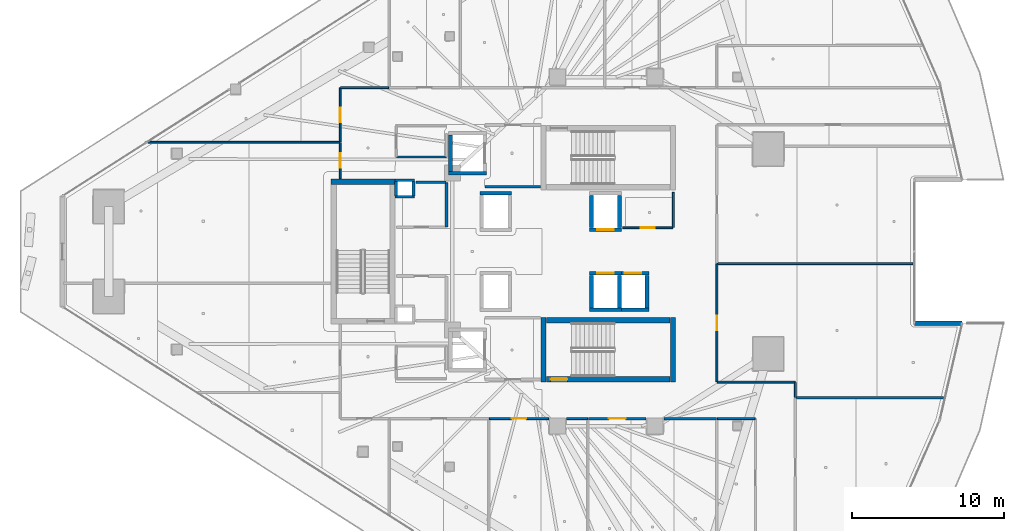
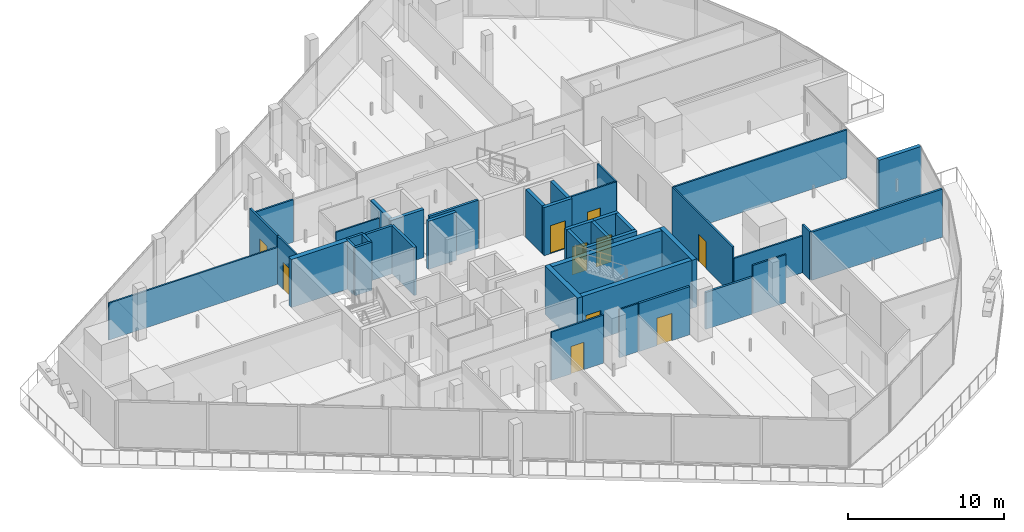
# One storey, part 24 of 35: 43 walls, 10 doors, 10 openings.
"""IFC4 building model written with IfcOpenShell, lengths in metres."""

from ifc_helpers import new_model, si_unit, direction, frame, frame_2d, origin, place, context, subcontext, project, spatial, rectangle, extrude, material, layer, layer_set, type_object, element, fill, save


model = new_model("IFC4")

# Units and contexts
model_context = context("Model", 3, precision=1e-05, world=origin(), true_north=direction((0.0, 1.0)))
body_context = subcontext(model_context, "Body", "Model", "MODEL_VIEW")
ifc_project = project(units=[si_unit("LENGTHUNIT", "METRE"), si_unit("AREAUNIT", "SQUARE_METRE"), si_unit("VOLUMEUNIT", "CUBIC_METRE"), si_unit("PLANEANGLEUNIT", "RADIAN"), si_unit("MASSUNIT", "GRAM", prefix="KILO")], contexts=[model_context])

# Site, building, storey
site_placement = place(None, origin())
site = spatial("IfcSite", under=ifc_project, at=site_placement, CompositionType="ELEMENT")
building_placement = place(site_placement, origin())
building = spatial("IfcBuilding", under=site, at=building_placement, Name="Qorvath Tower", CompositionType="ELEMENT")
storey_placement = place(building_placement, frame((0.0, 0.0, 166.5)))
storey = spatial("IfcBuildingStorey", under=building, at=storey_placement, Name="L38", CompositionType="ELEMENT", Elevation=166.5)

# Walls
ifc_material_1 = material(Name="Gypsum shaftliner on steel studs", Category="steel")
ifc_layer_1 = layer(ifc_material_1, 0.179931640625)
ifc_layer_set_1 = layer_set([ifc_layer_1], Name="FW-LOBBY")
wall_type_1 = type_object("IfcWallType", Name="FW-LOBBY", PredefinedType="PARTITIONING", material=ifc_layer_set_1)
for number, where, z_axis, x_axis, name in (
    (1, (-32.989990234375, 3.594970703125, 0.0), (0.0, 0.0, 1.0), (-1.0, 0.0, 0.0), "MEP Riser Shaft Enclosure Wall N-L38-S"),
    (2, (-34.260009765625, 4.675048828125, 0.0), (0.0, 0.0, 1.0), (1.0, 0.0, 0.0), "MEP Riser Shaft Enclosure Wall N-L38-N"),
):
    element("IfcWall", number, at=place(storey_placement, frame(where, z_axis=z_axis, x_axis=x_axis)), inside=storey, type_object=wall_type_1, Name=name, PredefinedType="PARTITIONING", context=body_context, shape_type="SweptSolid", body=[
        extrude(rectangle(XDim=1.27001953125, YDim=0.179931640625, at=frame_2d((0.635009765625, 0.0))), origin(), (0.0, 0.0, 1.0), 3.780029296875),
    ])
for number, where, z_axis, x_axis, name in (
    (3, (-34.205078125, 3.659912109375, 0.0), (0.0, 0.0, 1.0), (0.0, 1.0, 0.0), "MEP Riser Shaft Enclosure Wall N-L38-W"),
    (4, (-33.044921875, 4.610107421875, 0.0), (0.0, 0.0, 1.0), (0.0, -1.0, 0.0), "MEP Riser Shaft Enclosure Wall N-L38-E"),
):
    element("IfcWall", number, at=place(storey_placement, frame(where, z_axis=z_axis, x_axis=x_axis)), inside=storey, type_object=wall_type_1, Name=name, PredefinedType="PARTITIONING", context=body_context, shape_type="SweptSolid", body=[
        extrude(rectangle(XDim=0.9501953125, YDim=0.179931640625, at=frame_2d((0.47509765625, 0.0))), origin(), (0.0, 0.0, 1.0), 3.780029296875),
    ])
wall_1_placement = place(storey_placement, frame((-28.35498046875, 4.25, 0.0), z_axis=(0.0, 0.0, 1.0), x_axis=(1.0, 0.0, 0.0)))
element("IfcWall", 5, at=wall_1_placement, inside=storey, type_object=wall_type_1, Name="Interior Partition IW-T1-L38-001", PredefinedType="PARTITIONING", context=body_context, shape_type="SweptSolid", body=[
    extrude(rectangle(XDim=3.6220703125, YDim=0.179931640625, at=frame_2d((1.81103515625, 0.0))), origin(), (0.0, 0.0, 1.0), 3.780029296875),
])
wall_2_placement = place(storey_placement, frame((-30.8798828125, 1.625, 0.0), z_axis=(0.0, 0.0, 1.0), x_axis=(0.0, 1.0, 0.0)))
element("IfcWall", 6, at=wall_2_placement, inside=storey, type_object=wall_type_1, Name="Interior Partition IW-T1-L38-016", PredefinedType="PARTITIONING", context=body_context, shape_type="SweptSolid", body=[
    extrude(rectangle(XDim=2.889892578125, YDim=0.179931640625, at=frame_2d((1.44482421875, 0.0))), origin(), (0.0, 0.0, 1.0), 3.780029296875),
])
wall_3_placement = place(storey_placement, frame((-30.90478515625, 4.5400390625, 0.0), z_axis=(0.0, 0.0, 1.0), x_axis=(-1.0, 0.0, 0.0)))
element("IfcWall", 7, at=wall_3_placement, inside=storey, type_object=wall_type_1, Name="Interior Partition IW-T1-L38-017", PredefinedType="PARTITIONING", context=body_context, shape_type="SweptSolid", body=[
    extrude(rectangle(XDim=1.97509765625, YDim=0.179931640625, at=frame_2d((0.987548828125, 0.0))), origin(), (0.0, 0.0, 1.0), 3.780029296875),
])

# Wall, opening, door
ifc_material_2 = material(Name="Double acoustic gypsum board on steel studs", Category="steel")
ifc_layer_2 = layer(ifc_material_2, 0.159912109375)
ifc_layer_set_2 = layer_set([ifc_layer_2], Name="IW-ACOUSTIC-160")
wall_type_2 = type_object("IfcWallType", Name="IW-ACOUSTIC-160", PredefinedType="PARTITIONING", material=ifc_layer_set_2)
wall_4_placement = place(storey_placement, frame((-17.7900390625, -10.9580078125, 0.0), z_axis=(0.0, 0.0, 1.0), x_axis=(-1.0, 0.0, 0.0)))
wall_4 = element("IfcWall", 8, at=wall_4_placement, inside=storey, type_object=wall_type_2, Name="Interior Partition IW-T1-L38-039", PredefinedType="PARTITIONING", context=body_context, shape_type="SweptSolid", body=[
    extrude(rectangle(XDim=3.783447265625, YDim=0.159912109375, at=frame_2d((1.8916015625, 0.0))), origin(), (0.0, 0.0, 1.0), 3.780029296875),
])
opening_1_placement = place(wall_4_placement, frame((1.341796875, 0.0, 0.0)))
opening_1 = element("IfcOpeningElement", 9, at=opening_1_placement, cuts=wall_4, Name="Opening D-T1-L38-12", PredefinedType="OPENING", context=body_context, shape_type="SweptSolid", body=[
    extrude(rectangle(XDim=1.10009765625, YDim=2.14990234375, at=frame_2d((0.550048828125, 1.074951171875))), frame((0.0, 0.08984375, 0.0), z_axis=(0.0, -1.0, 0.0), x_axis=(1.0, 0.0, 0.0)), (0.0, 0.0, 1.0), 0.179931640625),
])
ifc_material_3 = material(Name="Anodised aluminium acoustic framed glass", Category="aluminium")
door_type_1 = type_object("IfcDoorType", Name="D-03", OperationType="NOTDEFINED", PredefinedType="DOOR", material=ifc_material_3)
door_1_placement = place(opening_1_placement, origin())
door_1 = element("IfcDoor", 10, at=door_1_placement, inside=storey, type_object=door_type_1, Name="L38-07 Digital Visualization Suite Door D-T1-L38-12", OperationType="SINGLE_SWING_LEFT", OverallHeight=2.14990234375, OverallWidth=1.10009765625, PredefinedType="DOOR", context=body_context, shape_type="SweptSolid", body=[
    extrude(rectangle(XDim=1.10009765625, YDim=2.14990234375, at=frame_2d((0.550048828125, 1.074951171875))), frame((0.0, 0.02490234375, 0.0), z_axis=(0.0, -1.0, 0.0), x_axis=(1.0, 0.0, 0.0)), (0.0, 0.0, 1.0), 0.050048828125),
])
fill(opening_1, door_1)

# Walls
wall_5_placement = place(storey_placement, frame((-13.1748046875, -10.9580078125, 0.0), z_axis=(0.0, 0.0, 1.0), x_axis=(-1.0, 0.0, 0.0)))
element("IfcWall", 11, at=wall_5_placement, inside=storey, type_object=wall_type_2, Name="Interior Partition IW-T1-L38-041", PredefinedType="PARTITIONING", context=body_context, shape_type="SweptSolid", body=[
    extrude(rectangle(XDim=3.435302734375, YDim=0.159912109375, at=frame_2d((1.7177734375, 0.0))), origin(), (0.0, 0.0, 1.0), 2.89501953125),
])
wall_6_placement = place(storey_placement, frame((1.7412109375, -9.6015625, 0.0), z_axis=(0.0, 0.0, 1.0), x_axis=(-1.0, 0.0, 0.0)))
element("IfcWall", 12, at=wall_6_placement, inside=storey, type_object=wall_type_2, Name="Interior Partition IW-T1-L38-047", PredefinedType="PARTITIONING", context=body_context, shape_type="SweptSolid", body=[
    extrude(rectangle(XDim=9.7080078125, YDim=0.159912109375, at=frame_2d((4.85400390625, 0.0))), origin(), (0.0, 0.0, 1.0), 3.780029296875),
])

# Wall, opening, door
ifc_material_4 = material(Name="Gypsum board on metal studs with mineral wool", Category="gypsum")
ifc_layer_3 = layer(ifc_material_4, 0.125)
ifc_layer_set_3 = layer_set([ifc_layer_3], Name="IW-PART-125")
wall_type_3 = type_object("IfcWallType", Name="IW-PART-125", PredefinedType="PARTITIONING", material=ifc_layer_set_3)
wall_7_placement = place(storey_placement, frame((-19.333740234375, 1.56005859375, 0.0), z_axis=(0.0, 0.0, 1.0), x_axis=(1.0, 0.0, 0.0)))
wall_7 = element("IfcWall", 13, at=wall_7_placement, inside=storey, type_object=wall_type_3, Name="Interior Partition IW-T1-L38-013", PredefinedType="PARTITIONING", context=body_context, shape_type="SweptSolid", body=[
    extrude(rectangle(XDim=3.308837890625, YDim=0.125, at=frame_2d((1.654296875, 0.0))), origin(), (0.0, 0.0, 1.0), 3.780029296875),
])
opening_2_placement = place(wall_7_placement, frame((1.179443359375, 0.0, 0.0)))
opening_2 = element("IfcOpeningElement", 14, at=opening_2_placement, cuts=wall_7, Name="Opening D-T1-L38-03", PredefinedType="OPENING", context=body_context, shape_type="SweptSolid", body=[
    extrude(rectangle(XDim=0.949951171875, YDim=2.14990234375, at=frame_2d((0.47509765625, 1.074951171875))), frame((0.0, 0.072509765625, 0.0), z_axis=(0.0, -1.0, 0.0), x_axis=(1.0, 0.0, 0.0)), (0.0, 0.0, 1.0), 0.14501953125),
])
ifc_material_5 = material(Name="Solid-core American white oak veneer", Category="wood")
door_type_2 = type_object("IfcDoorType", Name="D-01", OperationType="NOTDEFINED", PredefinedType="DOOR", material=ifc_material_5)
door_2_placement = place(opening_2_placement, origin())
door_2 = element("IfcDoor", 15, at=door_2_placement, inside=storey, type_object=door_type_2, Name="L38-RCN North Staff Refreshment Pantry Door D-T1-L38-03", OperationType="SINGLE_SWING_RIGHT", OverallHeight=2.14990234375, OverallWidth=0.949951171875, PredefinedType="DOOR", context=body_context, shape_type="SweptSolid", body=[
    extrude(rectangle(XDim=0.949951171875, YDim=2.14990234375, at=frame_2d((0.47509765625, 1.074951171875))), frame((0.0, 0.02490234375, 0.0), z_axis=(0.0, -1.0, 0.0), x_axis=(1.0, 0.0, 0.0)), (0.0, 0.0, 1.0), 0.050048828125),
])
fill(opening_2, door_2)

# Wall
wall_8_placement = place(storey_placement, frame((-16.0, 1.585205078125, 0.0), z_axis=(0.0, 0.0, 1.0), x_axis=(0.0, 1.0, 0.0)))
element("IfcWall", 16, at=wall_8_placement, inside=storey, type_object=wall_type_3, Name="Interior Partition IW-T1-L38-014", PredefinedType="PARTITIONING", context=body_context, shape_type="SweptSolid", body=[
    extrude(rectangle(XDim=2.30224609375, YDim=0.125, at=frame_2d((1.151123046875, 0.0))), origin(), (0.0, 0.0, 1.0), 3.780029296875),
])

# Wall, opening, door
wall_9_placement = place(storey_placement, frame((-24.18994140625, -10.9580078125, 0.0), z_axis=(0.0, 0.0, 1.0), x_axis=(-1.0, 0.0, 0.0)))
wall_9 = element("IfcWall", 17, at=wall_9_placement, inside=storey, type_object=wall_type_3, Name="Interior Partition IW-T1-L38-036", PredefinedType="PARTITIONING", context=body_context, shape_type="SweptSolid", body=[
    extrude(rectangle(XDim=3.87890625, YDim=0.125, at=frame_2d((1.939453125, 0.0))), origin(), (0.0, 0.0, 1.0), 3.780029296875),
])
opening_3_placement = place(wall_9_placement, frame((1.46435546875, 0.0, 0.0)))
opening_3 = element("IfcOpeningElement", 18, at=opening_3_placement, cuts=wall_9, Name="Opening D-T1-L38-11", PredefinedType="OPENING", context=body_context, shape_type="SweptSolid", body=[
    extrude(rectangle(XDim=0.949951171875, YDim=2.14990234375, at=frame_2d((0.47509765625, 1.074951171875))), frame((0.0, 0.072509765625, 0.0), z_axis=(0.0, -1.0, 0.0), x_axis=(1.0, 0.0, 0.0)), (0.0, 0.0, 1.0), 0.14501953125),
])
door_3_placement = place(opening_3_placement, origin())
door_3 = element("IfcDoor", 19, at=door_3_placement, inside=storey, type_object=door_type_2, Name="L38-06 Breakout Reading Alcove Door D-T1-L38-11", OperationType="SINGLE_SWING_RIGHT", OverallHeight=2.14990234375, OverallWidth=0.949951171875, PredefinedType="DOOR", context=body_context, shape_type="SweptSolid", body=[
    extrude(rectangle(XDim=0.949951171875, YDim=2.14990234375, at=frame_2d((0.47509765625, 1.074951171875))), frame((0.0, 0.02490234375, 0.0), z_axis=(0.0, -1.0, 0.0), x_axis=(1.0, 0.0, 0.0)), (0.0, 0.0, 1.0), 0.050048828125),
])
fill(opening_3, door_3)

# Walls
wall_10_placement = place(storey_placement, frame((-21.631103515625, -10.9580078125, 0.0), z_axis=(0.0, 0.0, 1.0), x_axis=(-1.0, 0.0, 0.0)))
element("IfcWall", 20, at=wall_10_placement, inside=storey, type_object=wall_type_3, Name="Interior Partition IW-T1-L38-038", PredefinedType="PARTITIONING", context=body_context, shape_type="SweptSolid", body=[
    extrude(rectangle(XDim=1.37890625, YDim=0.125, at=frame_2d((0.689453125, 0.0))), origin(), (0.0, 0.0, 1.0), 3.780029296875),
])
wall_11_placement = place(storey_placement, frame((-10.6328125, -10.9580078125, 0.0), z_axis=(0.0, 0.0, 1.0), x_axis=(-1.0, 0.0, 0.0)))
element("IfcWall", 21, at=wall_11_placement, inside=storey, type_object=wall_type_3, Name="Interior Partition IW-T1-L38-050", PredefinedType="PARTITIONING", context=body_context, shape_type="SweptSolid", body=[
    extrude(rectangle(XDim=2.484375, YDim=0.125, at=frame_2d((1.2421875, 0.0))), origin(), (0.0, 0.0, 1.0), 3.780029296875),
])
wall_12_placement = place(storey_placement, frame((-0.263916015625, -0.7890625, 0.0), z_axis=(0.0, 0.0, 1.0), x_axis=(-1.0, 0.0, 0.0)))
element("IfcWall", 22, at=wall_12_placement, inside=storey, type_object=wall_type_3, Name="Interior Partition IW-T1-L38-051", PredefinedType="PARTITIONING", context=body_context, shape_type="SweptSolid", body=[
    extrude(rectangle(XDim=12.853271484375, YDim=0.125, at=frame_2d((6.4267578125, 0.0))), origin(), (0.0, 0.0, 1.0), 3.780029296875),
])

# Wall, opening, door
wall_13_placement = place(storey_placement, frame((-13.14208984375, -0.814208984375, 0.0), z_axis=(0.0, 0.0, 1.0), x_axis=(0.0, -1.0, 0.0)))
wall_13 = element("IfcWall", 23, at=wall_13_placement, inside=storey, type_object=wall_type_3, Name="Interior Partition IW-T1-L38-052", PredefinedType="PARTITIONING", context=body_context, shape_type="SweptSolid", body=[
    extrude(rectangle(XDim=7.73291015625, YDim=0.125, at=frame_2d((3.866455078125, 0.0))), origin(), (0.0, 0.0, 1.0), 3.780029296875),
])
opening_4_placement = place(wall_13_placement, frame((3.391357421875, 0.0, 0.0)))
opening_4 = element("IfcOpeningElement", 24, at=opening_4_placement, cuts=wall_13, Name="Opening D-T1-L38-16", PredefinedType="OPENING", context=body_context, shape_type="SweptSolid", body=[
    extrude(rectangle(XDim=0.949951171875, YDim=2.14990234375, at=frame_2d((0.47509765625, 1.074951171875))), frame((0.0, 0.072509765625, 0.0), z_axis=(0.0, -1.0, 0.0), x_axis=(1.0, 0.0, 0.0)), (0.0, 0.0, 1.0), 0.14501953125),
])
door_4_placement = place(opening_4_placement, origin())
door_4 = element("IfcDoor", 25, at=door_4_placement, inside=storey, type_object=door_type_2, Name="L38-11 Open Workplace Studio Door D-T1-L38-16", OperationType="SINGLE_SWING_LEFT", OverallHeight=2.14990234375, OverallWidth=0.949951171875, PredefinedType="DOOR", context=body_context, shape_type="SweptSolid", body=[
    extrude(rectangle(XDim=0.949951171875, YDim=2.14990234375, at=frame_2d((0.47509765625, 1.074951171875))), frame((0.0, 0.02490234375, 0.0), z_axis=(0.0, -1.0, 0.0), x_axis=(1.0, 0.0, 0.0)), (0.0, 0.0, 1.0), 0.050048828125),
])
fill(opening_4, door_4)

# Walls
wall_14_placement = place(storey_placement, frame((-13.1171875, -8.572021484375, 0.0), z_axis=(0.0, 0.0, 1.0), x_axis=(1.0, 0.0, 0.0)))
element("IfcWall", 26, at=wall_14_placement, inside=storey, type_object=wall_type_3, Name="Interior Partition IW-T1-L38-053", PredefinedType="PARTITIONING", context=body_context, shape_type="SweptSolid", body=[
    extrude(rectangle(XDim=5.100341796875, YDim=0.125, at=frame_2d((2.55029296875, 0.0))), origin(), (0.0, 0.0, 1.0), 2.89501953125),
])
wall_15_placement = place(storey_placement, frame((-7.991943359375, -8.596923828125, 0.0), z_axis=(0.0, 0.0, 1.0), x_axis=(0.0, -1.0, 0.0)))
element("IfcWall", 27, at=wall_15_placement, inside=storey, type_object=wall_type_3, Name="Interior Partition IW-T1-L38-054", PredefinedType="PARTITIONING", context=body_context, shape_type="SweptSolid", body=[
    extrude(rectangle(XDim=0.9716796875, YDim=0.125, at=frame_2d((0.48583984375, 0.0))), origin(), (0.0, 0.0, 1.0), 3.780029296875),
])

# Wall, opening, door
wall_16_placement = place(storey_placement, frame((-37.85791015625, 4.783203125, 0.0), z_axis=(0.0, 0.0, 1.0), x_axis=(0.0, 1.0, 0.0)))
wall_16 = element("IfcWall", 28, at=wall_16_placement, inside=storey, type_object=wall_type_3, Name="Interior Partition IW-T1-L38-067", PredefinedType="PARTITIONING", context=body_context, shape_type="SweptSolid", body=[
    extrude(rectangle(XDim=2.3623046875, YDim=0.125, at=frame_2d((1.18115234375, 0.0))), origin(), (0.0, 0.0, 1.0), 3.780029296875),
])
opening_5_placement = place(wall_16_placement, frame((0.7060546875, 0.0, 0.0)))
opening_5 = element("IfcOpeningElement", 29, at=opening_5_placement, cuts=wall_16, Name="Opening D-T1-L38-21", PredefinedType="OPENING", context=body_context, shape_type="SweptSolid", body=[
    extrude(rectangle(XDim=0.949951171875, YDim=2.14990234375, at=frame_2d((0.47509765625, 1.074951171875))), frame((0.0, 0.072509765625, 0.0), z_axis=(0.0, -1.0, 0.0), x_axis=(1.0, 0.0, 0.0)), (0.0, 0.0, 1.0), 0.14501953125),
])
door_5_placement = place(opening_5_placement, origin())
door_5 = element("IfcDoor", 30, at=door_5_placement, inside=storey, type_object=door_type_2, Name="L38-16 Design Pin-Up Atelier Door D-T1-L38-21", OperationType="SINGLE_SWING_RIGHT", OverallHeight=2.14990234375, OverallWidth=0.949951171875, PredefinedType="DOOR", context=body_context, shape_type="SweptSolid", body=[
    extrude(rectangle(XDim=0.949951171875, YDim=2.14990234375, at=frame_2d((0.47509765625, 1.074951171875))), frame((0.0, 0.02490234375, 0.0), z_axis=(0.0, -1.0, 0.0), x_axis=(1.0, 0.0, 0.0)), (0.0, 0.0, 1.0), 0.050048828125),
])
fill(opening_5, door_5)

# Wall
wall_17_placement = place(storey_placement, frame((-37.8828125, 7.17041015625, 0.0), z_axis=(0.0, 0.0, 1.0), x_axis=(-1.0, 0.0, 0.0)))
element("IfcWall", 31, at=wall_17_placement, inside=storey, type_object=wall_type_3, Name="Interior Partition IW-T1-L38-068", PredefinedType="PARTITIONING", context=body_context, shape_type="SweptSolid", body=[
    extrude(rectangle(XDim=12.57958984375, YDim=0.125, at=frame_2d((6.289794921875, 0.0))), origin(), (0.0, 0.0, 1.0), 2.89990234375),
])

# Wall, opening, door
wall_18_placement = place(storey_placement, frame((-37.85791015625, 7.20361328125, 0.0), z_axis=(0.0, 0.0, 1.0), x_axis=(0.0, 1.0, 0.0)))
wall_18 = element("IfcWall", 32, at=wall_18_placement, inside=storey, type_object=wall_type_3, Name="Interior Partition IW-T1-L38-069", PredefinedType="PARTITIONING", context=body_context, shape_type="SweptSolid", body=[
    extrude(rectangle(XDim=3.529541015625, YDim=0.125, at=frame_2d((1.7646484375, 0.0))), origin(), (0.0, 0.0, 1.0), 3.780029296875),
])
opening_6_placement = place(wall_18_placement, frame((1.289794921875, 0.0, 0.0)))
opening_6 = element("IfcOpeningElement", 33, at=opening_6_placement, cuts=wall_18, Name="Opening D-T1-L38-22", PredefinedType="OPENING", context=body_context, shape_type="SweptSolid", body=[
    extrude(rectangle(XDim=0.949951171875, YDim=2.14990234375, at=frame_2d((0.47509765625, 1.074951171875))), frame((0.0, 0.072509765625, 0.0), z_axis=(0.0, -1.0, 0.0), x_axis=(1.0, 0.0, 0.0)), (0.0, 0.0, 1.0), 0.14501953125),
])
door_6_placement = place(opening_6_placement, origin())
door_6 = element("IfcDoor", 34, at=door_6_placement, inside=storey, type_object=door_type_2, Name="L38-17 Executive Partner Office Door D-T1-L38-22", OperationType="SINGLE_SWING_LEFT", OverallHeight=2.14990234375, OverallWidth=0.949951171875, PredefinedType="DOOR", context=body_context, shape_type="SweptSolid", body=[
    extrude(rectangle(XDim=0.949951171875, YDim=2.14990234375, at=frame_2d((0.47509765625, 1.074951171875))), frame((0.0, 0.02490234375, 0.0), z_axis=(0.0, -1.0, 0.0), x_axis=(1.0, 0.0, 0.0)), (0.0, 0.0, 1.0), 0.050048828125),
])
fill(opening_6, door_6)

# Walls
wall_19_placement = place(storey_placement, frame((-34.68310546875, 10.758056640625, 0.0), z_axis=(0.0, 0.0, 1.0), x_axis=(-1.0, 0.0, 0.0)))
element("IfcWall", 35, at=wall_19_placement, inside=storey, type_object=wall_type_3, Name="Interior Partition IW-T1-L38-070", PredefinedType="PARTITIONING", context=body_context, shape_type="SweptSolid", body=[
    extrude(rectangle(XDim=3.14990234375, YDim=0.125, at=frame_2d((1.574951171875, 0.0))), origin(), (0.0, 0.0, 1.0), 3.34375),
])
ifc_material_6 = material(Name="Moisture-resistant cement board on metal studs", Category="gypsum")
ifc_layer_4 = layer(ifc_material_6, 0.110107421875)
ifc_layer_set_4 = layer_set([ifc_layer_4], Name="IW-WC-110")
wall_type_4 = type_object("IfcWallType", Name="IW-WC-110", PredefinedType="PARTITIONING", material=ifc_layer_set_4)
wall_20_placement = place(storey_placement, frame((-34.15478515625, 6.199951171875, 0.0), z_axis=(0.0, 0.0, 1.0), x_axis=(1.0, 0.0, 0.0)))
element("IfcWall", 36, at=wall_20_placement, inside=storey, type_object=wall_type_4, Name="Interior Partition IW-T1-L38-006", PredefinedType="PARTITIONING", context=body_context, shape_type="SweptSolid", body=[
    extrude(rectangle(XDim=3.25, YDim=0.110107421875, at=frame_2d((1.625, 0.0))), origin(), (0.0, 0.0, 1.0), 3.34375),
])
ifc_material_7 = material(Name="Concrete C60/75", Category="concrete")
ifc_layer_5 = layer(ifc_material_7, 0.260009765625)
ifc_layer_set_5 = layer_set([ifc_layer_5], Name="SW-SHAFT")
wall_type_5 = type_object("IfcWallType", Name="SW-SHAFT", PredefinedType="SHEAR", material=ifc_layer_set_5)
wall_21_placement = place(storey_placement, frame((-28.260009765625, 5.1298828125, 0.0), z_axis=(0.0, 0.0, 1.0), x_axis=(-1.0, 0.0, 0.0)))
element("IfcWall", 37, at=wall_21_placement, inside=storey, type_object=wall_type_5, Name="Hoistway Wall FSAE-1 L38 S", PredefinedType="SHEAR", context=body_context, shape_type="SweptSolid", body=[
    extrude(rectangle(XDim=2.47998046875, YDim=0.239990234375, at=frame_2d((1.239990234375, 0.0))), origin(), (0.0, 0.0, 1.0), 3.780029296875),
])
wall_22_placement = place(storey_placement, frame((-30.6201171875, 5.261962890625, 0.0), z_axis=(0.0, 0.0, 1.0), x_axis=(0.0, 1.0, 0.0)))
element("IfcWall", 38, at=wall_22_placement, inside=storey, type_object=wall_type_5, Name="Hoistway Wall FSAE-1 L38 W", PredefinedType="SHEAR", context=body_context, shape_type="SweptSolid", body=[
    extrude(rectangle(XDim=2.3759765625, YDim=0.239990234375, at=frame_2d((1.18798828125, 0.0))), origin(), (0.0, 0.0, 1.0), 3.780029296875),
])
wall_23_placement = place(storey_placement, frame((-28.68994140625, 3.820068359375, 0.0), z_axis=(0.0, 0.0, 1.0), x_axis=(1.0, 0.0, 0.0)))
element("IfcWall", 39, at=wall_23_placement, inside=storey, type_object=wall_type_5, Name="Hoistway Wall PS-1 L38 N", PredefinedType="SHEAR", context=body_context, shape_type="SweptSolid", body=[
    extrude(rectangle(XDim=2.079833984375, YDim=0.239990234375, at=frame_2d((1.0400390625, 0.0))), origin(), (0.0, 0.0, 1.0), 3.780029296875),
])

# Wall, opening, door
wall_24_placement = place(storey_placement, frame((-19.409912109375, 1.429931640625, 0.0), z_axis=(0.0, 0.0, 1.0), x_axis=(-1.0, 0.0, 0.0)))
wall_24 = element("IfcWall", 40, at=wall_24_placement, inside=storey, type_object=wall_type_5, Name="Hoistway Wall PM-1 L38 S", PredefinedType="SHEAR", context=body_context, shape_type="SweptSolid", body=[
    extrude(rectangle(XDim=2.080078125, YDim=0.239990234375, at=frame_2d((1.0400390625, 0.0))), origin(), (0.0, 0.0, 1.0), 3.780029296875),
])
opening_7_placement = place(wall_24_placement, frame((0.489990234375, 0.0, 0.0)))
opening_7 = element("IfcOpeningElement", 41, at=opening_7_placement, cuts=wall_24, Name="Opening LD-PM-1-L38", PredefinedType="OPENING", context=body_context, shape_type="SweptSolid", body=[
    extrude(rectangle(XDim=1.10009765625, YDim=2.199951171875, at=frame_2d((0.550048828125, 1.10009765625))), frame((0.0, 0.1298828125, 0.0), z_axis=(0.0, -1.0, 0.0), x_axis=(1.0, 0.0, 0.0)), (0.0, 0.0, 1.0), 0.260009765625),
])
ifc_material_8 = material(Name="Brushed stainless steel AISI 316", Category="steel")
door_type_3 = type_object("IfcDoorType", Name="LD-01", OperationType="NOTDEFINED", PredefinedType="DOOR", material=ifc_material_8)
door_7_placement = place(opening_7_placement, origin())
door_7 = element("IfcDoor", 42, at=door_7_placement, inside=storey, type_object=door_type_3, Name="Elevator Landing Sliding Door LD-PM-1-L38", OperationType="DOUBLE_DOOR_SLIDING", OverallHeight=2.199951171875, OverallWidth=1.10009765625, PredefinedType="DOOR", context=body_context, shape_type="SweptSolid", body=[
    extrude(rectangle(XDim=1.10009765625, YDim=2.199951171875, at=frame_2d((0.550048828125, 1.10009765625))), frame((0.0, 0.02490234375, 0.0), z_axis=(0.0, -1.0, 0.0), x_axis=(1.0, 0.0, 0.0)), (0.0, 0.0, 1.0), 0.050048828125),
])
fill(opening_7, door_7)

# Walls
for number, where, z_axis, x_axis, name in (
    (43, (-21.3701171875, 1.56201171875, 0.0), (0.0, 0.0, 1.0), (0.0, 1.0, 0.0), "Hoistway Wall PM-1 L38 W"),
    (44, (-19.530029296875, 3.68798828125, 0.0), (0.0, 0.0, 1.0), (0.0, -1.0, 0.0), "Hoistway Wall PM-1 L38 E"),
):
    element("IfcWall", number, at=place(storey_placement, frame(where, z_axis=z_axis, x_axis=x_axis)), inside=storey, type_object=wall_type_5, Name=name, PredefinedType="SHEAR", context=body_context, shape_type="SweptSolid", body=[
        extrude(rectangle(XDim=2.1259765625, YDim=0.239990234375, at=frame_2d((1.06298828125, 0.0))), origin(), (0.0, 0.0, 1.0), 3.780029296875),
    ])
wall_25_placement = place(storey_placement, frame((-19.409912109375, -3.820068359375, 0.0), z_axis=(0.0, 0.0, 1.0), x_axis=(-1.0, 0.0, 0.0)))
element("IfcWall", 45, at=wall_25_placement, inside=storey, type_object=wall_type_5, Name="Hoistway Wall PM-2 L38 S", PredefinedType="SHEAR", context=body_context, shape_type="SweptSolid", body=[
    extrude(rectangle(XDim=2.080078125, YDim=0.239990234375, at=frame_2d((1.0400390625, 0.0))), origin(), (0.0, 0.0, 1.0), 3.780029296875),
])

# Wall, opening, door
wall_26_placement = place(storey_placement, frame((-21.489990234375, -1.429931640625, 0.0), z_axis=(0.0, 0.0, 1.0), x_axis=(1.0, 0.0, 0.0)))
wall_26 = element("IfcWall", 46, at=wall_26_placement, inside=storey, type_object=wall_type_5, Name="Hoistway Wall PM-2 L38 N", PredefinedType="SHEAR", context=body_context, shape_type="SweptSolid", body=[
    extrude(rectangle(XDim=2.080078125, YDim=0.239990234375, at=frame_2d((1.0400390625, 0.0))), origin(), (0.0, 0.0, 1.0), 3.780029296875),
])
opening_8_placement = place(wall_26_placement, frame((0.489990234375, 0.0, 0.0)))
opening_8 = element("IfcOpeningElement", 47, at=opening_8_placement, cuts=wall_26, Name="Opening LD-PM-2-L38", PredefinedType="OPENING", context=body_context, shape_type="SweptSolid", body=[
    extrude(rectangle(XDim=1.10009765625, YDim=2.199951171875, at=frame_2d((0.550048828125, 1.10009765625))), frame((0.0, 0.1298828125, 0.0), z_axis=(0.0, -1.0, 0.0), x_axis=(1.0, 0.0, 0.0)), (0.0, 0.0, 1.0), 0.260009765625),
])
door_8_placement = place(opening_8_placement, origin())
door_8 = element("IfcDoor", 48, at=door_8_placement, inside=storey, type_object=door_type_3, Name="Elevator Landing Sliding Door LD-PM-2-L38", OperationType="DOUBLE_DOOR_SLIDING", OverallHeight=2.199951171875, OverallWidth=1.10009765625, PredefinedType="DOOR", context=body_context, shape_type="SweptSolid", body=[
    extrude(rectangle(XDim=1.10009765625, YDim=2.199951171875, at=frame_2d((0.550048828125, 1.10009765625))), frame((0.0, 0.02490234375, 0.0), z_axis=(0.0, -1.0, 0.0), x_axis=(1.0, 0.0, 0.0)), (0.0, 0.0, 1.0), 0.050048828125),
])
fill(opening_8, door_8)

# Walls
for number, where, z_axis, x_axis, name in (
    (49, (-21.3701171875, -3.68798828125, 0.0), (0.0, 0.0, 1.0), (0.0, 1.0, 0.0), "Hoistway Wall PM-2 L38 W"),
    (50, (-19.530029296875, -1.56201171875, 0.0), (0.0, 0.0, 1.0), (0.0, -1.0, 0.0), "Hoistway Wall PM-2 L38 E"),
):
    element("IfcWall", number, at=place(storey_placement, frame(where, z_axis=z_axis, x_axis=x_axis)), inside=storey, type_object=wall_type_5, Name=name, PredefinedType="SHEAR", context=body_context, shape_type="SweptSolid", body=[
        extrude(rectangle(XDim=2.1259765625, YDim=0.239990234375, at=frame_2d((1.06298828125, 0.0))), origin(), (0.0, 0.0, 1.0), 3.780029296875),
    ])
wall_27_placement = place(storey_placement, frame((-17.610107421875, -3.820068359375, 0.0), z_axis=(0.0, 0.0, 1.0), x_axis=(-1.0, 0.0, 0.0)))
element("IfcWall", 51, at=wall_27_placement, inside=storey, type_object=wall_type_5, Name="Hoistway Wall PM-3 L38 S", PredefinedType="SHEAR", context=body_context, shape_type="SweptSolid", body=[
    extrude(rectangle(XDim=1.7998046875, YDim=0.239990234375, at=frame_2d((0.89990234375, 0.0))), origin(), (0.0, 0.0, 1.0), 3.780029296875),
])

# Wall, opening, door
wall_28_placement = place(storey_placement, frame((-19.409912109375, -1.429931640625, 0.0), z_axis=(0.0, 0.0, 1.0), x_axis=(1.0, 0.0, 0.0)))
wall_28 = element("IfcWall", 52, at=wall_28_placement, inside=storey, type_object=wall_type_5, Name="Hoistway Wall PM-3 L38 N", PredefinedType="SHEAR", context=body_context, shape_type="SweptSolid", body=[
    extrude(rectangle(XDim=1.7998046875, YDim=0.239990234375, at=frame_2d((0.89990234375, 0.0))), origin(), (0.0, 0.0, 1.0), 3.780029296875),
])
opening_9_placement = place(wall_28_placement, frame((0.2099609375, 0.0, 0.0)))
opening_9 = element("IfcOpeningElement", 53, at=opening_9_placement, cuts=wall_28, Name="Opening LD-PM-3-L38", PredefinedType="OPENING", context=body_context, shape_type="SweptSolid", body=[
    extrude(rectangle(XDim=1.10009765625, YDim=2.199951171875, at=frame_2d((0.550048828125, 1.10009765625))), frame((0.0, 0.1298828125, 0.0), z_axis=(0.0, -1.0, 0.0), x_axis=(1.0, 0.0, 0.0)), (0.0, 0.0, 1.0), 0.260009765625),
])
door_9_placement = place(opening_9_placement, origin())
door_9 = element("IfcDoor", 54, at=door_9_placement, inside=storey, type_object=door_type_3, Name="Elevator Landing Sliding Door LD-PM-3-L38", OperationType="DOUBLE_DOOR_SLIDING", OverallHeight=2.199951171875, OverallWidth=1.10009765625, PredefinedType="DOOR", context=body_context, shape_type="SweptSolid", body=[
    extrude(rectangle(XDim=1.10009765625, YDim=2.199951171875, at=frame_2d((0.550048828125, 1.10009765625))), frame((0.0, 0.02490234375, 0.0), z_axis=(0.0, -1.0, 0.0), x_axis=(1.0, 0.0, 0.0)), (0.0, 0.0, 1.0), 0.050048828125),
])
fill(opening_9, door_9)

# Walls
wall_29_placement = place(storey_placement, frame((-17.72998046875, -1.56201171875, 0.0), z_axis=(0.0, 0.0, 1.0), x_axis=(0.0, -1.0, 0.0)))
element("IfcWall", 55, at=wall_29_placement, inside=storey, type_object=wall_type_5, Name="Hoistway Wall PM-3 L38 E", PredefinedType="SHEAR", context=body_context, shape_type="SweptSolid", body=[
    extrude(rectangle(XDim=2.1259765625, YDim=0.239990234375, at=frame_2d((1.06298828125, 0.0))), origin(), (0.0, 0.0, 1.0), 3.780029296875),
])
ifc_material_9 = material(Name="Concrete C60/75", Category="concrete")
ifc_layer_6 = layer(ifc_material_9, 0.35009765625)
ifc_layer_set_6 = layer_set([ifc_layer_6], Name="SW-STAIR")
wall_type_6 = type_object("IfcWallType", Name="SW-STAIR", PredefinedType="SHEAR", material=ifc_layer_set_6)
for number, where, z_axis, x_axis, name in (
    (56, (-24.52490234375, -4.340087890625, 0.0), (0.0, 0.0, 1.0), (0.0, -1.0, 0.0), "Stair TS2 Shear Wall L38 NEAR"),
    (57, (-16.02490234375, -8.550048828125, 0.0), (0.0, 0.0, 1.0), (0.0, 1.0, 0.0), "Stair TS2 Shear Wall L38 FAR"),
):
    element("IfcWall", number, at=place(storey_placement, frame(where, z_axis=z_axis, x_axis=x_axis)), inside=storey, type_object=wall_type_6, Name=name, PredefinedType="SHEAR", context=body_context, shape_type="SweptSolid", body=[
        extrude(rectangle(XDim=4.2099609375, YDim=0.35009765625, at=frame_2d((2.10498046875, 0.0))), origin(), (0.0, 0.0, 1.0), 3.780029296875),
    ])

# Wall, opening, door
wall_30_placement = place(storey_placement, frame((-24.3349609375, -8.375, 0.0), z_axis=(0.0, 0.0, 1.0), x_axis=(1.0, 0.0, 0.0)))
wall_30 = element("IfcWall", 58, at=wall_30_placement, inside=storey, type_object=wall_type_6, Name="Stair TS2 Shear Wall L38 LEFT", PredefinedType="SHEAR", context=body_context, shape_type="SweptSolid", body=[
    extrude(rectangle(XDim=8.119873046875, YDim=0.35009765625, at=frame_2d((4.06005859375, 0.0))), origin(), (0.0, 0.0, 1.0), 3.780029296875),
])
opening_10_placement = place(wall_30_placement, frame((0.280029296875, 0.0, 0.0)))
opening_10 = element("IfcOpeningElement", 59, at=opening_10_placement, cuts=wall_30, Name="Opening D-TS2-L38", PredefinedType="OPENING", context=body_context, shape_type="SweptSolid", body=[
    extrude(rectangle(XDim=1.10009765625, YDim=2.199951171875, at=frame_2d((0.550048828125, 1.10009765625))), frame((0.0, 0.18505859375, 0.0), z_axis=(0.0, -1.0, 0.0), x_axis=(1.0, 0.0, 0.0)), (0.0, 0.0, 1.0), 0.3701171875),
])
ifc_material_10 = material(Name="Painted galvanised hollow metal", Category="steel")
door_type_4 = type_object("IfcDoorType", Name="FD-90", OperationType="NOTDEFINED", PredefinedType="DOOR", material=ifc_material_10)
door_10_placement = place(opening_10_placement, origin())
door_10 = element("IfcDoor", 60, at=door_10_placement, inside=storey, type_object=door_type_4, Name="Stair TS2 Fire Door L38", OperationType="SINGLE_SWING_LEFT", OverallHeight=2.199951171875, OverallWidth=1.10009765625, PredefinedType="DOOR", context=body_context, shape_type="SweptSolid", body=[
    extrude(rectangle(XDim=1.10009765625, YDim=2.199951171875, at=frame_2d((0.550048828125, 1.10009765625))), frame((0.0, 0.02490234375, 0.0), z_axis=(0.0, -1.0, 0.0), x_axis=(1.0, 0.0, 0.0)), (0.0, 0.0, 1.0), 0.050048828125),
])
fill(opening_10, door_10)

# Walls
wall_31_placement = place(storey_placement, frame((-16.215087890625, -4.514892578125, 0.0), z_axis=(0.0, 0.0, 1.0), x_axis=(-1.0, 0.0, 0.0)))
element("IfcWall", 61, at=wall_31_placement, inside=storey, type_object=wall_type_6, Name="Stair TS2 Shear Wall L38 RIGHT", PredefinedType="SHEAR", context=body_context, shape_type="SweptSolid", body=[
    extrude(rectangle(XDim=8.119873046875, YDim=0.35009765625, at=frame_2d((4.06005859375, 0.0))), origin(), (0.0, 0.0, 1.0), 3.780029296875),
])
wall_32_placement = place(storey_placement, frame((-34.25, 4.574951171875, 0.0), z_axis=(0.0, 0.0, 1.0), x_axis=(-1.0, 0.0, 0.0)))
element("IfcWall", 62, at=wall_32_placement, inside=storey, type_object=wall_type_6, Name="Stair TS3 Shear Wall L38 FAR", PredefinedType="SHEAR", context=body_context, shape_type="SweptSolid", body=[
    extrude(rectangle(XDim=4.2099609375, YDim=0.35009765625, at=frame_2d((2.10498046875, 0.0))), origin(), (0.0, 0.0, 1.0), 3.780029296875),
])
ifc_material_11 = material(Name="Precast concrete C45/55", Category="concrete")
ifc_layer_7 = layer(ifc_material_11, 0.300048828125)
ifc_layer_set_7 = layer_set([ifc_layer_7], Name="WL-EW-LOG-300")
wall_type_7 = type_object("IfcWallType", Name="WL-EW-LOG-300", PredefinedType="SOLIDWALL", material=ifc_layer_set_7)
wall_33_placement = place(storey_placement, frame((2.955322265625, -4.708740234375, 0.0), z_axis=(0.0, 0.0, 1.0), x_axis=(-1.0, 0.0, 0.0)))
element("IfcWall", 63, at=wall_33_placement, inside=storey, type_object=wall_type_7, Name="Tower Precast Loggia Wall L38-8.1", PredefinedType="SOLIDWALL", context=body_context, shape_type="SweptSolid", body=[
    extrude(rectangle(XDim=3.13916015625, YDim=0.300048828125, at=frame_2d((1.569580078125, 0.0))), origin(), (0.0, 0.0, 1.0), 3.780029296875),
])

save(model, "model.ifc")
